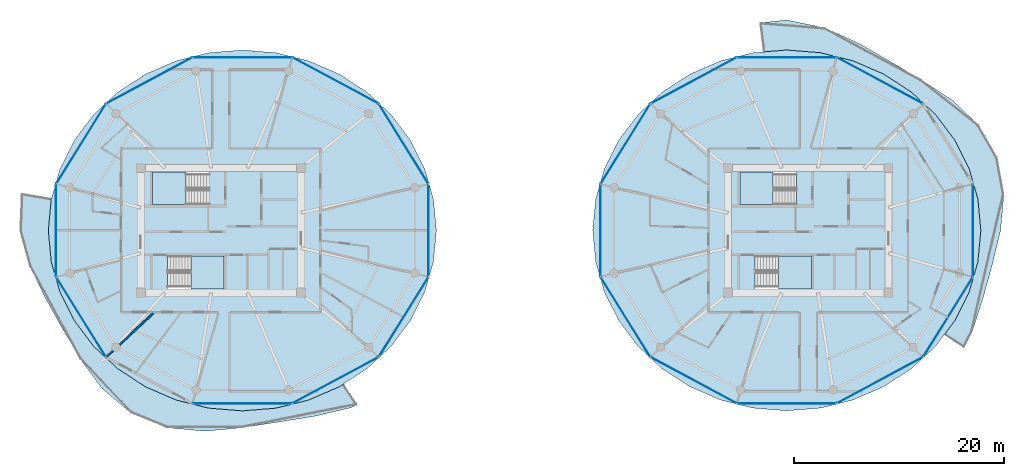
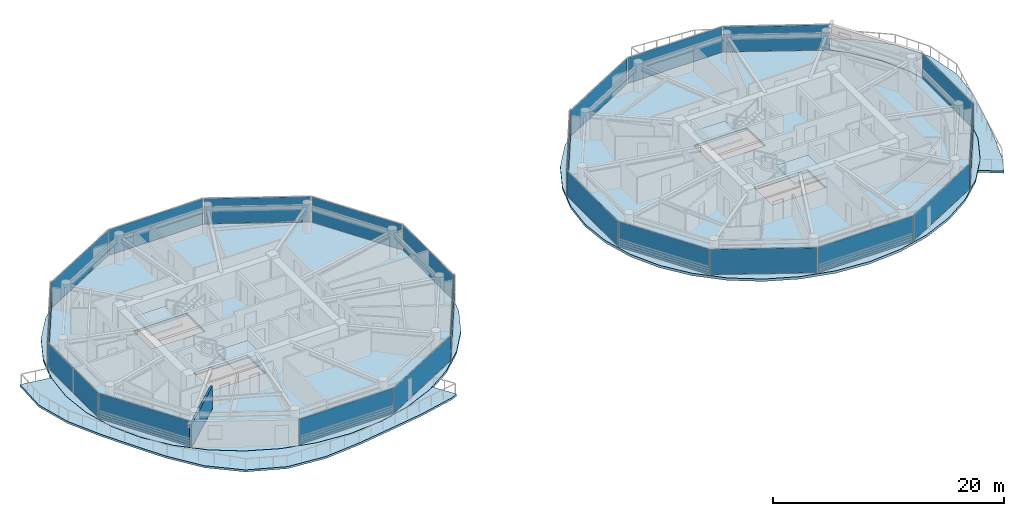
# One storey, part 12 of 24: 22 plates, 8 slabs, 1 wall, 26 elements without a shape of their own.
"""IFC4 building model written with IfcOpenShell, lengths in metres."""

from ifc_helpers import new_model, si_unit, direction, frame, frame_2d, origin, origin_2d, place, context, subcontext, project, spatial, polyline, rectangle, outline, extrude, source, transform, mapped, material, layer, layer_set, type_object, type_shapes, element, aggregate, save


model = new_model("IFC4")

# Units and contexts
model_context = context("Model", 3, precision=1e-05, world=origin(), true_north=direction((0.0, 1.0)))
body_context = subcontext(model_context, "Body", "Model", "MODEL_VIEW")
ifc_project = project(units=[si_unit("LENGTHUNIT", "METRE"), si_unit("AREAUNIT", "SQUARE_METRE"), si_unit("VOLUMEUNIT", "CUBIC_METRE"), si_unit("PLANEANGLEUNIT", "RADIAN"), si_unit("MASSUNIT", "GRAM", prefix="KILO")], contexts=[model_context])

# Site, building, storey
site_placement = place(None, origin())
site = spatial("IfcSite", under=ifc_project, at=site_placement, CompositionType="ELEMENT")
building_placement = place(site_placement, origin())
building = spatial("IfcBuilding", under=site, at=building_placement, Name="Norrkilde Senior Care Towers", CompositionType="ELEMENT")
storey_placement = place(building_placement, frame((0.0, 0.0, 105.39990234375)))
storey = spatial("IfcBuildingStorey", under=building, at=storey_placement, Name="L32", CompositionType="ELEMENT", Elevation=105.39990234375)

# Slabs
ifc_material_1 = material(Name="Concrete C50/60", Category="concrete")
ifc_layer_1 = layer(ifc_material_1, 0.215087890625)
ifc_layer_set_1 = layer_set([ifc_layer_1], Name="Concrete C50/60")
slab_type_1 = type_object("IfcSlabType", Name="Sinusoidal Balcony Ribbon Slab 215", PredefinedType="FLOOR", material=ifc_layer_set_1)
slab_1_placement = place(storey_placement, frame((0.0, 0.0, -0.21484375)))
element("IfcSlab", 1, at=slab_1_placement, inside=storey, type_object=slab_type_1, Name="L32 Drum W Swirling Senior Balcony 1", PredefinedType="FLOOR", context=body_context, shape_type="SweptSolid", body=[
    extrude(outline(polyline([(-19.094482421875, -17.7236328125), (-22.51904296875, -18.271484375), (-25.949951171875, -18.806396484375), (-29.523681640625, -19.14208984375), (-33.169189453125, -18.798095703125), (-36.5537109375, -17.41748046875), (-39.3271484375, -15.080322265625), (-41.42919921875, -12.23583984375), (-43.1328125, -9.321044921875), (-44.744384765625, -6.434814453125), (-46.230224609375, -3.377685546875), (-47.15087890625, 0.0), (-47.010986328125, 3.5166015625), (-44.15869140625, 3.040283203125), (-44.173828125, 2.987548828125), (-44.455078125, 0.0), (-44.173828125, -2.987548828125), (-43.339111328125, -5.884521484375), (-41.975830078125, -8.6025390625), (-40.125732421875, -11.05908203125), (-37.8447265625, -13.1796875), (-35.202392578125, -14.89990234375), (-32.279052734375, -16.16748046875), (-29.163330078125, -16.943603515625), (-25.949951171875, -17.205078125), (-22.736572265625, -16.943603515625), (-19.620849609375, -16.16748046875), (-16.697509765625, -14.89990234375), (-16.2919921875, -14.635986328125), (-14.984619140625, -16.616943359375), (-15.61865234375, -16.909912109375), (-19.094482421875, -17.7236328125)])), origin(), (0.0, 0.0, 1.0), 0.21484375),
])
slab_2_placement = place(storey_placement, frame((0.0, 0.0, -0.21484375)))
element("IfcSlab", 2, at=slab_2_placement, inside=storey, type_object=slab_type_1, Name="L32 Drum E Swirling Senior Balcony 1", PredefinedType="FLOOR", context=body_context, shape_type="SweptSolid", body=[
    extrude(outline(polyline([(43.639892578125, -9.635986328125), (42.85205078125, -11.20703125), (40.95947265625, -9.9521484375), (41.975830078125, -8.6025390625), (43.339111328125, -5.884521484375), (44.173828125, -2.987548828125), (44.455078125, 0.0), (44.173828125, 2.987548828125), (43.339111328125, 5.884521484375), (41.975830078125, 8.6025390625), (40.125732421875, 11.05908203125), (37.8447265625, 13.1796875), (35.202392578125, 14.89990234375), (32.279052734375, 16.16748046875), (29.163330078125, 16.943603515625), (25.949951171875, 17.205078125), (23.742431640625, 17.025390625), (23.383056640625, 19.79736328125), (25.949951171875, 20.06201171875), (29.55322265625, 19.322265625), (32.841796875, 17.8310546875), (35.846435546875, 16.10009765625), (38.77294921875, 14.369873046875), (41.67919921875, 12.461669921875), (44.265869140625, 10.02490234375), (46.02783203125, 6.937255859375), (46.66015625, 3.459228515625), (46.33544921875, 0.0), (45.55078125, -3.248779296875), (44.67578125, -6.407958984375), (43.639892578125, -9.635986328125)])), origin(), (0.0, 0.0, 1.0), 0.21484375),
])

# Stair, slab
ifc_material_2 = material(Name="Concrete C45/55", Category="concrete")
stair_type = type_object("IfcStairType", Name="Core Protected Dogleg Stair Typical 3050", PredefinedType="HALF_TURN_STAIR", material=ifc_material_2)
stair_1_placement = place(storey_placement, origin())
stair_1 = element("IfcStair", 3, at=stair_1_placement, inside=storey, type_object=stair_type, Name="L32 Protected Core Stair W1", PredefinedType="HALF_TURN_STAIR")
ifc_layer_2 = layer(ifc_material_2, 0.199951171875)
ifc_layer_set_2 = layer_set([ifc_layer_2], Name="Concrete C45/55")
slab_type_2 = type_object("IfcSlabType", Name="Stair Landing Slab 200", PredefinedType="LANDING", material=ifc_layer_set_2)
slab_3_placement = place(storey_placement, frame((0.0, 0.0, 1.3251953125)))
slab_3 = element("IfcSlab", 4, at=slab_3_placement, type_object=slab_type_2, Name="ST-W1 landing 1", PredefinedType="LANDING", context=body_context, shape_type="SweptSolid", body=[
    extrude(outline(polyline([(-31.340087890625, 5.590087890625), (-34.5, 5.590087890625), (-34.5, 2.449951171875), (-31.340087890625, 2.449951171875), (-31.340087890625, 5.590087890625)])), origin(), (0.0, 0.0, 1.0), 0.199951171875),
])
aggregate(stair_1, [slab_3])

stair_2_placement = place(storey_placement, origin())
stair_2 = element("IfcStair", 5, at=stair_2_placement, inside=storey, type_object=stair_type, Name="L32 Protected Core Stair W2", PredefinedType="HALF_TURN_STAIR")
slab_4_placement = place(storey_placement, frame((0.0, 0.0, 1.3251953125)))
slab_4 = element("IfcSlab", 6, at=slab_4_placement, type_object=slab_type_2, Name="ST-W2 landing 1", PredefinedType="LANDING", context=body_context, shape_type="SweptSolid", body=[
    extrude(outline(polyline([(-30.860107421875, -5.590087890625), (-27.699951171875, -5.590087890625), (-27.699951171875, -2.449951171875), (-30.860107421875, -2.449951171875), (-30.860107421875, -5.590087890625)])), origin(), (0.0, 0.0, 1.0), 0.199951171875),
])
aggregate(stair_2, [slab_4])

stair_3_placement = place(storey_placement, origin())
stair_3 = element("IfcStair", 7, at=stair_3_placement, inside=storey, type_object=stair_type, Name="L32 Protected Core Stair E1", PredefinedType="HALF_TURN_STAIR")
slab_5_placement = place(storey_placement, frame((0.0, 0.0, 1.3251953125)))
slab_5 = element("IfcSlab", 8, at=slab_5_placement, type_object=slab_type_2, Name="ST-E1 landing 1", PredefinedType="LANDING", context=body_context, shape_type="SweptSolid", body=[
    extrude(outline(polyline([(24.659912109375, 5.590087890625), (21.5, 5.590087890625), (21.5, 2.449951171875), (24.659912109375, 2.449951171875), (24.659912109375, 5.590087890625)])), origin(), (0.0, 0.0, 1.0), 0.199951171875),
])
aggregate(stair_3, [slab_5])

stair_4_placement = place(storey_placement, origin())
stair_4 = element("IfcStair", 9, at=stair_4_placement, inside=storey, type_object=stair_type, Name="L32 Protected Core Stair E2", PredefinedType="HALF_TURN_STAIR")
slab_6_placement = place(storey_placement, frame((0.0, 0.0, 1.3251953125)))
slab_6 = element("IfcSlab", 10, at=slab_6_placement, type_object=slab_type_2, Name="ST-E2 landing 1", PredefinedType="LANDING", context=body_context, shape_type="SweptSolid", body=[
    extrude(outline(polyline([(25.139892578125, -5.590087890625), (28.300048828125, -5.590087890625), (28.300048828125, -2.449951171875), (25.139892578125, -2.449951171875), (25.139892578125, -5.590087890625)])), origin(), (0.0, 0.0, 1.0), 0.199951171875),
])
aggregate(stair_4, [slab_6])

# Slabs
ifc_layer_3 = layer(ifc_material_1, 0.260009765625)
ifc_layer_set_3 = layer_set([ifc_layer_3], Name="Concrete C50/60")
slab_type_3 = type_object("IfcSlabType", Name="Tower Care Floor Slab 260", PredefinedType="FLOOR", material=ifc_layer_set_3)
slab_7_placement = place(storey_placement, frame((0.0, 0.0, -0.260009765625)))
element("IfcSlab", 11, at=slab_7_placement, inside=storey, type_object=slab_type_3, Name="L32 Drum W Structural Floor Slab", PredefinedType="FLOOR", context=body_context, shape_type="SweptSolid", body=[
    extrude(outline(polyline([(-8.565673828125, -5.8828125), (-9.928466796875, -8.60009765625), (-11.778076171875, -11.055908203125), (-14.058349609375, -13.176025390625), (-16.699951171875, -14.895751953125), (-19.62255859375, -16.16259765625), (-22.737548828125, -16.938720703125), (-25.949951171875, -17.199951171875), (-29.16259765625, -16.938720703125), (-32.27734375, -16.16259765625), (-35.199951171875, -14.895751953125), (-37.841552734375, -13.176025390625), (-40.121826171875, -11.055908203125), (-41.971435546875, -8.60009765625), (-43.334228515625, -5.8828125), (-44.1689453125, -2.98681640625), (-44.449951171875, 0.0), (-44.1689453125, 2.98681640625), (-43.334228515625, 5.8828125), (-41.971435546875, 8.60009765625), (-40.121826171875, 11.055908203125), (-37.841552734375, 13.176025390625), (-35.199951171875, 14.895751953125), (-32.27734375, 16.16259765625), (-29.16259765625, 16.938720703125), (-25.949951171875, 17.199951171875), (-22.737548828125, 16.938720703125), (-19.62255859375, 16.16259765625), (-16.699951171875, 14.895751953125), (-14.058349609375, 13.176025390625), (-11.778076171875, 11.055908203125), (-9.928466796875, 8.60009765625), (-8.565673828125, 5.8828125), (-7.73095703125, 2.98681640625), (-7.449951171875, 0.0), (-7.73095703125, -2.98681640625), (-8.565673828125, -5.8828125)]), holes=[polyline([(-34.48193359375, 2.468017578125), (-29.117919921875, 2.468017578125), (-29.117919921875, 5.590087890625), (-34.48193359375, 5.590087890625), (-34.48193359375, 2.468017578125)]), polyline([(-27.718017578125, -5.590087890625), (-27.718017578125, -2.468017578125), (-33.08203125, -2.468017578125), (-33.08203125, -5.590087890625), (-27.718017578125, -5.590087890625)])]), origin(), (0.0, 0.0, 1.0), 0.260009765625),
])
slab_8_placement = place(storey_placement, frame((0.0, 0.0, -0.260009765625)))
element("IfcSlab", 12, at=slab_8_placement, inside=storey, type_object=slab_type_3, Name="L32 Drum E Structural Floor Slab", PredefinedType="FLOOR", context=body_context, shape_type="SweptSolid", body=[
    extrude(outline(polyline([(43.334228515625, -5.8828125), (41.971435546875, -8.60009765625), (40.121826171875, -11.055908203125), (37.841552734375, -13.176025390625), (35.199951171875, -14.895751953125), (32.27734375, -16.16259765625), (29.16259765625, -16.938720703125), (25.949951171875, -17.199951171875), (22.737548828125, -16.938720703125), (19.62255859375, -16.16259765625), (16.699951171875, -14.895751953125), (14.058349609375, -13.176025390625), (11.778076171875, -11.055908203125), (9.928466796875, -8.60009765625), (8.565673828125, -5.8828125), (7.73095703125, -2.98681640625), (7.449951171875, 0.0), (7.73095703125, 2.98681640625), (8.565673828125, 5.8828125), (9.928466796875, 8.60009765625), (11.778076171875, 11.055908203125), (14.058349609375, 13.176025390625), (16.699951171875, 14.895751953125), (19.62255859375, 16.16259765625), (22.737548828125, 16.938720703125), (25.949951171875, 17.199951171875), (29.16259765625, 16.938720703125), (32.27734375, 16.16259765625), (35.199951171875, 14.895751953125), (37.841552734375, 13.176025390625), (40.121826171875, 11.055908203125), (41.971435546875, 8.60009765625), (43.334228515625, 5.8828125), (44.1689453125, 2.98681640625), (44.449951171875, 0.0), (44.1689453125, -2.98681640625), (43.334228515625, -5.8828125)]), holes=[polyline([(21.51806640625, 2.468017578125), (26.882080078125, 2.468017578125), (26.882080078125, 5.590087890625), (21.51806640625, 5.590087890625), (21.51806640625, 2.468017578125)]), polyline([(28.281982421875, -5.590087890625), (28.281982421875, -2.468017578125), (22.91796875, -2.468017578125), (22.91796875, -5.590087890625), (28.281982421875, -5.590087890625)])]), origin(), (0.0, 0.0, 1.0), 0.260009765625),
])

# Curtain wall, plate
ifc_material_3 = material(Name="Triple Low-E Insulated Glazing", Category="glass")
ifc_layer_4 = layer(ifc_material_3, 0.195068359375)
ifc_layer_set_4 = layer_set([ifc_layer_4], Name="Triple Low-E Insulated Glazing")
curtain_wall_type = type_object("IfcCurtainWallType", Name="CW3 Zone 2 Assisted Living Curtain Wall", PredefinedType="NOTDEFINED", material=ifc_layer_set_4)
curtain_wall_1_placement = place(storey_placement, origin())
curtain_wall_1 = element("IfcCurtainWall", 13, at=curtain_wall_1_placement, inside=storey, type_object=curtain_wall_type, Name="L32 Drum W Curtain Wall 00", PredefinedType="NOTDEFINED")
ifc_layer_5 = layer(ifc_material_3, 0.035888671875)
ifc_layer_set_5 = layer_set([ifc_layer_5], Name="Triple Low-E Insulated Glazing")
plate_type = type_object("IfcPlateType", Name="Triple Low-E Vision Curtain Panel 36", PredefinedType="CURTAIN_PANEL", material=ifc_layer_set_5)
shared_shape_1 = source(origin(), body_context, "Body", "SweptSolid", [
    extrude(rectangle(XDim=8.88427734375, YDim=0.035888671875, at=origin_2d()), origin(), (0.0, 0.0, 1.0), 2.669921875),
])
plate_1_placement = place(storey_placement, frame((-10.574951171875, 8.2490234375, 0.06005859375), z_axis=(0.0, 0.0, 1.0), x_axis=(0.527733228002, -0.849410171862, 0.0)))
plate_1 = element("IfcPlate", 14, at=plate_1_placement, type_object=plate_type, Name="CW-3 panel 1.1", PredefinedType="CURTAIN_PANEL", context=body_context, shape_type="MappedRepresentation", body=[
    mapped(shared_shape_1, transform((0.0, 0.0, 0.0), x_axis=(1.0, 0.0, 0.0), y_axis=(0.0, 1.0, 0.0), z_axis=(0.0, 0.0, 1.0), scale=1.0)),
])
aggregate(curtain_wall_1, [plate_1])

curtain_wall_2_placement = place(storey_placement, origin())
curtain_wall_2 = element("IfcCurtainWall", 15, at=curtain_wall_2_placement, inside=storey, type_object=curtain_wall_type, Name="L32 Drum W Curtain Wall 04", PredefinedType="NOTDEFINED")
plate_2_placement = place(storey_placement, frame((-41.3251953125, 8.2490234375, 0.06005859375), z_axis=(0.0, 0.0, 1.0), x_axis=(0.527733228002, 0.849410171862, 0.0)))
plate_2 = element("IfcPlate", 16, at=plate_2_placement, type_object=plate_type, Name="CW-3 panel 1.1", PredefinedType="CURTAIN_PANEL", context=body_context, shape_type="MappedRepresentation", body=[
    mapped(shared_shape_1, transform((0.0, 0.0, 0.0), x_axis=(1.0, 0.0, 0.0), y_axis=(0.0, 1.0, 0.0), z_axis=(0.0, 0.0, 1.0), scale=1.0)),
])
aggregate(curtain_wall_2, [plate_2])

curtain_wall_3_placement = place(storey_placement, origin())
curtain_wall_3 = element("IfcCurtainWall", 17, at=curtain_wall_3_placement, inside=storey, type_object=curtain_wall_type, Name="L32 Drum W Curtain Wall 06", PredefinedType="NOTDEFINED")
plate_3_placement = place(storey_placement, frame((-41.3251953125, -8.2490234375, 0.06005859375), z_axis=(0.0, 0.0, 1.0), x_axis=(-0.527733228002, 0.849410171862, 0.0)))
plate_3 = element("IfcPlate", 18, at=plate_3_placement, type_object=plate_type, Name="CW-3 panel 1.1", PredefinedType="CURTAIN_PANEL", context=body_context, shape_type="MappedRepresentation", body=[
    mapped(shared_shape_1, transform((0.0, 0.0, 0.0), x_axis=(1.0, 0.0, 0.0), y_axis=(0.0, 1.0, 0.0), z_axis=(0.0, 0.0, 1.0), scale=1.0)),
])
aggregate(curtain_wall_3, [plate_3])

curtain_wall_4_placement = place(storey_placement, origin())
curtain_wall_4 = element("IfcCurtainWall", 19, at=curtain_wall_4_placement, inside=storey, type_object=curtain_wall_type, Name="L32 Drum W Curtain Wall 10", PredefinedType="NOTDEFINED")
plate_4_placement = place(storey_placement, frame((-10.574951171875, -8.2490234375, 0.06005859375), z_axis=(0.0, 0.0, 1.0), x_axis=(-0.527733228002, -0.849410171862, 0.0)))
plate_4 = element("IfcPlate", 20, at=plate_4_placement, type_object=plate_type, Name="CW-3 panel 1.1", PredefinedType="CURTAIN_PANEL", context=body_context, shape_type="MappedRepresentation", body=[
    mapped(shared_shape_1, transform((0.0, 0.0, 0.0), x_axis=(1.0, 0.0, 0.0), y_axis=(0.0, 1.0, 0.0), z_axis=(0.0, 0.0, 1.0), scale=1.0)),
])
aggregate(curtain_wall_4, [plate_4])

curtain_wall_5_placement = place(storey_placement, origin())
curtain_wall_5 = element("IfcCurtainWall", 21, at=curtain_wall_5_placement, inside=storey, type_object=curtain_wall_type, Name="L32 Drum E Curtain Wall 04", PredefinedType="NOTDEFINED")
plate_5_placement = place(storey_placement, frame((10.574951171875, 8.2490234375, 0.06005859375), z_axis=(0.0, 0.0, 1.0), x_axis=(0.527733228002, 0.849410171862, 0.0)))
plate_5 = element("IfcPlate", 22, at=plate_5_placement, type_object=plate_type, Name="CW-3 panel 1.1", PredefinedType="CURTAIN_PANEL", context=body_context, shape_type="MappedRepresentation", body=[
    mapped(shared_shape_1, transform((0.0, 0.0, 0.0), x_axis=(1.0, 0.0, 0.0), y_axis=(0.0, 1.0, 0.0), z_axis=(0.0, 0.0, 1.0), scale=1.0)),
])
aggregate(curtain_wall_5, [plate_5])

curtain_wall_6_placement = place(storey_placement, origin())
curtain_wall_6 = element("IfcCurtainWall", 23, at=curtain_wall_6_placement, inside=storey, type_object=curtain_wall_type, Name="L32 Drum E Curtain Wall 06", PredefinedType="NOTDEFINED")
plate_6_placement = place(storey_placement, frame((10.574951171875, -8.2490234375, 0.06005859375), z_axis=(0.0, 0.0, 1.0), x_axis=(-0.527733228002, 0.849410171862, 0.0)))
plate_6 = element("IfcPlate", 24, at=plate_6_placement, type_object=plate_type, Name="CW-3 panel 1.1", PredefinedType="CURTAIN_PANEL", context=body_context, shape_type="MappedRepresentation", body=[
    mapped(shared_shape_1, transform((0.0, 0.0, 0.0), x_axis=(1.0, 0.0, 0.0), y_axis=(0.0, 1.0, 0.0), z_axis=(0.0, 0.0, 1.0), scale=1.0)),
])
aggregate(curtain_wall_6, [plate_6])

curtain_wall_7_placement = place(storey_placement, origin())
curtain_wall_7 = element("IfcCurtainWall", 25, at=curtain_wall_7_placement, inside=storey, type_object=curtain_wall_type, Name="L32 Drum E Curtain Wall 10", PredefinedType="NOTDEFINED")
plate_7_placement = place(storey_placement, frame((41.3251953125, -8.2490234375, 0.06005859375), z_axis=(0.0, 0.0, 1.0), x_axis=(-0.527733228002, -0.849410171862, 0.0)))
plate_7 = element("IfcPlate", 26, at=plate_7_placement, type_object=plate_type, Name="CW-3 panel 1.1", PredefinedType="CURTAIN_PANEL", context=body_context, shape_type="MappedRepresentation", body=[
    mapped(shared_shape_1, transform((0.0, 0.0, 0.0), x_axis=(1.0, 0.0, 0.0), y_axis=(0.0, 1.0, 0.0), z_axis=(0.0, 0.0, 1.0), scale=1.0)),
])
aggregate(curtain_wall_7, [plate_7])

curtain_wall_8_placement = place(storey_placement, origin())
curtain_wall_8 = element("IfcCurtainWall", 27, at=curtain_wall_8_placement, inside=storey, type_object=curtain_wall_type, Name="L32 Drum W Curtain Wall 01", PredefinedType="NOTDEFINED")
shared_shape_2 = source(origin(), body_context, "Body", "SweptSolid", [
    extrude(rectangle(XDim=9.220458984375, YDim=0.035888671875, at=origin_2d()), origin(), (0.0, 0.0, 1.0), 2.669921875),
])
plate_8_placement = place(storey_placement, frame((-17.0732421875, 14.28759765625, 0.06005859375), z_axis=(0.0, 0.0, 1.0), x_axis=(0.881186184668, -0.472769402511, 0.0)))
plate_8 = element("IfcPlate", 28, at=plate_8_placement, type_object=plate_type, Name="CW-3 panel 1.1", PredefinedType="CURTAIN_PANEL", context=body_context, shape_type="MappedRepresentation", body=[
    mapped(shared_shape_2, transform((0.0, 0.0, 0.0), x_axis=(1.0, 0.0, 0.0), y_axis=(0.0, 1.0, 0.0), z_axis=(0.0, 0.0, 1.0), scale=1.0)),
])
aggregate(curtain_wall_8, [plate_8])

curtain_wall_9_placement = place(storey_placement, origin())
curtain_wall_9 = element("IfcCurtainWall", 29, at=curtain_wall_9_placement, inside=storey, type_object=curtain_wall_type, Name="L32 Drum W Curtain Wall 03", PredefinedType="NOTDEFINED")
plate_9_placement = place(storey_placement, frame((-34.826904296875, 14.28759765625, 0.06005859375), z_axis=(0.0, 0.0, 1.0), x_axis=(0.881186184668, 0.472769402511, 0.0)))
plate_9 = element("IfcPlate", 30, at=plate_9_placement, type_object=plate_type, Name="CW-3 panel 1.1", PredefinedType="CURTAIN_PANEL", context=body_context, shape_type="MappedRepresentation", body=[
    mapped(shared_shape_2, transform((0.0, 0.0, 0.0), x_axis=(1.0, 0.0, 0.0), y_axis=(0.0, 1.0, 0.0), z_axis=(0.0, 0.0, 1.0), scale=1.0)),
])
aggregate(curtain_wall_9, [plate_9])

curtain_wall_10_placement = place(storey_placement, origin())
curtain_wall_10 = element("IfcCurtainWall", 31, at=curtain_wall_10_placement, inside=storey, type_object=curtain_wall_type, Name="L32 Drum W Curtain Wall 09", PredefinedType="NOTDEFINED")
plate_10_placement = place(storey_placement, frame((-17.0732421875, -14.28759765625, 0.06005859375), z_axis=(0.0, 0.0, 1.0), x_axis=(-0.881186184668, -0.472769402511, 0.0)))
plate_10 = element("IfcPlate", 32, at=plate_10_placement, type_object=plate_type, Name="CW-3 panel 1.1", PredefinedType="CURTAIN_PANEL", context=body_context, shape_type="MappedRepresentation", body=[
    mapped(shared_shape_2, transform((0.0, 0.0, 0.0), x_axis=(1.0, 0.0, 0.0), y_axis=(0.0, 1.0, 0.0), z_axis=(0.0, 0.0, 1.0), scale=1.0)),
])
aggregate(curtain_wall_10, [plate_10])

curtain_wall_11_placement = place(storey_placement, origin())
curtain_wall_11 = element("IfcCurtainWall", 33, at=curtain_wall_11_placement, inside=storey, type_object=curtain_wall_type, Name="L32 Drum E Curtain Wall 01", PredefinedType="NOTDEFINED")
plate_11_placement = place(storey_placement, frame((34.826904296875, 14.28759765625, 0.06005859375), z_axis=(0.0, 0.0, 1.0), x_axis=(0.881186184668, -0.472769402511, 0.0)))
plate_11 = element("IfcPlate", 34, at=plate_11_placement, type_object=plate_type, Name="CW-3 panel 1.1", PredefinedType="CURTAIN_PANEL", context=body_context, shape_type="MappedRepresentation", body=[
    mapped(shared_shape_2, transform((0.0, 0.0, 0.0), x_axis=(1.0, 0.0, 0.0), y_axis=(0.0, 1.0, 0.0), z_axis=(0.0, 0.0, 1.0), scale=1.0)),
])
aggregate(curtain_wall_11, [plate_11])

curtain_wall_12_placement = place(storey_placement, origin())
curtain_wall_12 = element("IfcCurtainWall", 35, at=curtain_wall_12_placement, inside=storey, type_object=curtain_wall_type, Name="L32 Drum E Curtain Wall 03", PredefinedType="NOTDEFINED")
plate_12_placement = place(storey_placement, frame((17.0732421875, 14.28759765625, 0.06005859375), z_axis=(0.0, 0.0, 1.0), x_axis=(0.881186184668, 0.472769402511, 0.0)))
plate_12 = element("IfcPlate", 36, at=plate_12_placement, type_object=plate_type, Name="CW-3 panel 1.1", PredefinedType="CURTAIN_PANEL", context=body_context, shape_type="MappedRepresentation", body=[
    mapped(shared_shape_2, transform((0.0, 0.0, 0.0), x_axis=(1.0, 0.0, 0.0), y_axis=(0.0, 1.0, 0.0), z_axis=(0.0, 0.0, 1.0), scale=1.0)),
])
aggregate(curtain_wall_12, [plate_12])

curtain_wall_13_placement = place(storey_placement, origin())
curtain_wall_13 = element("IfcCurtainWall", 37, at=curtain_wall_13_placement, inside=storey, type_object=curtain_wall_type, Name="L32 Drum E Curtain Wall 07", PredefinedType="NOTDEFINED")
plate_13_placement = place(storey_placement, frame((17.0732421875, -14.28759765625, 0.06005859375), z_axis=(0.0, 0.0, 1.0), x_axis=(-0.881186184668, 0.472769402511, 0.0)))
plate_13 = element("IfcPlate", 38, at=plate_13_placement, type_object=plate_type, Name="CW-3 panel 1.1", PredefinedType="CURTAIN_PANEL", context=body_context, shape_type="MappedRepresentation", body=[
    mapped(shared_shape_2, transform((0.0, 0.0, 0.0), x_axis=(1.0, 0.0, 0.0), y_axis=(0.0, 1.0, 0.0), z_axis=(0.0, 0.0, 1.0), scale=1.0)),
])
aggregate(curtain_wall_13, [plate_13])

curtain_wall_14_placement = place(storey_placement, origin())
curtain_wall_14 = element("IfcCurtainWall", 39, at=curtain_wall_14_placement, inside=storey, type_object=curtain_wall_type, Name="L32 Drum E Curtain Wall 09", PredefinedType="NOTDEFINED")
plate_14_placement = place(storey_placement, frame((34.826904296875, -14.28759765625, 0.06005859375), z_axis=(0.0, 0.0, 1.0), x_axis=(-0.881186184668, -0.472769402511, 0.0)))
plate_14 = element("IfcPlate", 40, at=plate_14_placement, type_object=plate_type, Name="CW-3 panel 1.1", PredefinedType="CURTAIN_PANEL", context=body_context, shape_type="MappedRepresentation", body=[
    mapped(shared_shape_2, transform((0.0, 0.0, 0.0), x_axis=(1.0, 0.0, 0.0), y_axis=(0.0, 1.0, 0.0), z_axis=(0.0, 0.0, 1.0), scale=1.0)),
])
aggregate(curtain_wall_14, [plate_14])

curtain_wall_15_placement = place(storey_placement, origin())
curtain_wall_15 = element("IfcCurtainWall", 41, at=curtain_wall_15_placement, inside=storey, type_object=curtain_wall_type, Name="L32 Drum W Curtain Wall 02", PredefinedType="NOTDEFINED")
shared_shape_3 = source(origin(), body_context, "Body", "SweptSolid", [
    extrude(rectangle(XDim=9.38427734375, YDim=0.035888671875, at=origin_2d()), origin(), (0.0, 0.0, 1.0), 2.669921875),
])
plate_15_placement = place(storey_placement, frame((-25.949951171875, 16.498046875, 0.06005859375), z_axis=(0.0, 0.0, 1.0), x_axis=(1.0, 0.0, 0.0)))
plate_15 = element("IfcPlate", 42, at=plate_15_placement, type_object=plate_type, Name="CW-3 panel 1.1", PredefinedType="CURTAIN_PANEL", context=body_context, shape_type="MappedRepresentation", body=[
    mapped(shared_shape_3, transform((0.0, 0.0, 0.0), x_axis=(1.0, 0.0, 0.0), y_axis=(0.0, 1.0, 0.0), z_axis=(0.0, 0.0, 1.0), scale=1.0)),
])
aggregate(curtain_wall_15, [plate_15])

curtain_wall_16_placement = place(storey_placement, origin())
curtain_wall_16 = element("IfcCurtainWall", 43, at=curtain_wall_16_placement, inside=storey, type_object=curtain_wall_type, Name="L32 Drum W Curtain Wall 08", PredefinedType="NOTDEFINED")
plate_16_placement = place(storey_placement, frame((-25.949951171875, -16.498046875, 0.06005859375), z_axis=(0.0, 0.0, 1.0), x_axis=(-1.0, 0.0, 0.0)))
plate_16 = element("IfcPlate", 44, at=plate_16_placement, type_object=plate_type, Name="CW-3 panel 1.1", PredefinedType="CURTAIN_PANEL", context=body_context, shape_type="MappedRepresentation", body=[
    mapped(shared_shape_3, transform((0.0, 0.0, 0.0), x_axis=(1.0, 0.0, 0.0), y_axis=(0.0, 1.0, 0.0), z_axis=(0.0, 0.0, 1.0), scale=1.0)),
])
aggregate(curtain_wall_16, [plate_16])

curtain_wall_17_placement = place(storey_placement, origin())
curtain_wall_17 = element("IfcCurtainWall", 45, at=curtain_wall_17_placement, inside=storey, type_object=curtain_wall_type, Name="L32 Drum E Curtain Wall 02", PredefinedType="NOTDEFINED")
plate_17_placement = place(storey_placement, frame((25.949951171875, 16.498046875, 0.06005859375), z_axis=(0.0, 0.0, 1.0), x_axis=(1.0, 0.0, 0.0)))
plate_17 = element("IfcPlate", 46, at=plate_17_placement, type_object=plate_type, Name="CW-3 panel 1.1", PredefinedType="CURTAIN_PANEL", context=body_context, shape_type="MappedRepresentation", body=[
    mapped(shared_shape_3, transform((0.0, 0.0, 0.0), x_axis=(1.0, 0.0, 0.0), y_axis=(0.0, 1.0, 0.0), z_axis=(0.0, 0.0, 1.0), scale=1.0)),
])
aggregate(curtain_wall_17, [plate_17])

curtain_wall_18_placement = place(storey_placement, origin())
curtain_wall_18 = element("IfcCurtainWall", 47, at=curtain_wall_18_placement, inside=storey, type_object=curtain_wall_type, Name="L32 Drum E Curtain Wall 08", PredefinedType="NOTDEFINED")
plate_18_placement = place(storey_placement, frame((25.949951171875, -16.498046875, 0.06005859375), z_axis=(0.0, 0.0, 1.0), x_axis=(-1.0, 0.0, 0.0)))
plate_18 = element("IfcPlate", 48, at=plate_18_placement, type_object=plate_type, Name="CW-3 panel 1.1", PredefinedType="CURTAIN_PANEL", context=body_context, shape_type="MappedRepresentation", body=[
    mapped(shared_shape_3, transform((0.0, 0.0, 0.0), x_axis=(1.0, 0.0, 0.0), y_axis=(0.0, 1.0, 0.0), z_axis=(0.0, 0.0, 1.0), scale=1.0)),
])
aggregate(curtain_wall_18, [plate_18])

curtain_wall_19_placement = place(storey_placement, origin())
curtain_wall_19 = element("IfcCurtainWall", 49, at=curtain_wall_19_placement, inside=storey, type_object=curtain_wall_type, Name="L32 Drum W Curtain Wall 05", PredefinedType="NOTDEFINED")
shared_shape_4 = source(origin(), body_context, "Body", "SweptSolid", [
    extrude(rectangle(XDim=8.711181640625, YDim=0.035888671875, at=origin_2d()), origin(), (0.0, 0.0, 1.0), 2.669921875),
])
type_shapes(plate_type, [shared_shape_1, shared_shape_2, shared_shape_3, shared_shape_4])
plate_19_placement = place(storey_placement, frame((-43.70361328125, 0.0, 0.06005859375), z_axis=(0.0, 0.0, 1.0), x_axis=(0.0, 1.0, 0.0)))
plate_19 = element("IfcPlate", 50, at=plate_19_placement, type_object=plate_type, Name="CW-3 panel 1.1", PredefinedType="CURTAIN_PANEL", context=body_context, shape_type="MappedRepresentation", body=[
    mapped(shared_shape_4, transform((0.0, 0.0, 0.0), x_axis=(1.0, 0.0, 0.0), y_axis=(0.0, 1.0, 0.0), z_axis=(0.0, 0.0, 1.0), scale=1.0)),
])
aggregate(curtain_wall_19, [plate_19])

curtain_wall_20_placement = place(storey_placement, origin())
curtain_wall_20 = element("IfcCurtainWall", 51, at=curtain_wall_20_placement, inside=storey, type_object=curtain_wall_type, Name="L32 Drum W Curtain Wall 11", PredefinedType="NOTDEFINED")
plate_20_placement = place(storey_placement, frame((-8.1962890625, 0.0, 0.06005859375), z_axis=(0.0, 0.0, 1.0), x_axis=(0.0, -1.0, 0.0)))
plate_20 = element("IfcPlate", 52, at=plate_20_placement, type_object=plate_type, Name="CW-3 panel 1.1", PredefinedType="CURTAIN_PANEL", context=body_context, shape_type="MappedRepresentation", body=[
    mapped(shared_shape_4, transform((0.0, 0.0, 0.0), x_axis=(1.0, 0.0, 0.0), y_axis=(0.0, 1.0, 0.0), z_axis=(0.0, 0.0, 1.0), scale=1.0)),
])
aggregate(curtain_wall_20, [plate_20])

curtain_wall_21_placement = place(storey_placement, origin())
curtain_wall_21 = element("IfcCurtainWall", 53, at=curtain_wall_21_placement, inside=storey, type_object=curtain_wall_type, Name="L32 Drum E Curtain Wall 05", PredefinedType="NOTDEFINED")
plate_21_placement = place(storey_placement, frame((8.1962890625, 0.0, 0.06005859375), z_axis=(0.0, 0.0, 1.0), x_axis=(0.0, 1.0, 0.0)))
plate_21 = element("IfcPlate", 54, at=plate_21_placement, type_object=plate_type, Name="CW-3 panel 1.1", PredefinedType="CURTAIN_PANEL", context=body_context, shape_type="MappedRepresentation", body=[
    mapped(shared_shape_4, transform((0.0, 0.0, 0.0), x_axis=(1.0, 0.0, 0.0), y_axis=(0.0, 1.0, 0.0), z_axis=(0.0, 0.0, 1.0), scale=1.0)),
])
aggregate(curtain_wall_21, [plate_21])

curtain_wall_22_placement = place(storey_placement, origin())
curtain_wall_22 = element("IfcCurtainWall", 55, at=curtain_wall_22_placement, inside=storey, type_object=curtain_wall_type, Name="L32 Drum E Curtain Wall 11", PredefinedType="NOTDEFINED")
plate_22_placement = place(storey_placement, frame((43.70361328125, 0.0, 0.06005859375), z_axis=(0.0, 0.0, 1.0), x_axis=(0.0, -1.0, 0.0)))
plate_22 = element("IfcPlate", 56, at=plate_22_placement, type_object=plate_type, Name="CW-3 panel 1.1", PredefinedType="CURTAIN_PANEL", context=body_context, shape_type="MappedRepresentation", body=[
    mapped(shared_shape_4, transform((0.0, 0.0, 0.0), x_axis=(1.0, 0.0, 0.0), y_axis=(0.0, 1.0, 0.0), z_axis=(0.0, 0.0, 1.0), scale=1.0)),
])
aggregate(curtain_wall_22, [plate_22])

# Wall
ifc_material_4 = material(Name="Gypsum Acoustic Board")
ifc_layer_6 = layer(ifc_material_4, 0.18994140625)
ifc_layer_set_6 = layer_set([ifc_layer_6], Name="Gypsum Acoustic Board")
wall_type = type_object("IfcWallType", Name="Unit Demising Acoustic Wall 190", PredefinedType="PARTITIONING", material=ifc_layer_set_6)
shared_shape_5 = source(origin(), body_context, "Body", "SweptSolid", [
    extrude(rectangle(XDim=6.186767578125, YDim=0.18994140625, at=frame_2d((3.09326171875, 0.0))), origin(), (0.0, 0.0, 1.0), 2.4150390625),
])
type_shapes(wall_type, [shared_shape_5])
wall_placement = place(storey_placement, frame((-34.428955078125, -7.8798828125, 0.0), z_axis=(0.0, 0.0, 1.0), x_axis=(-0.732501077882, -0.680765870841, 0.0)))
element("IfcWall", 57, at=wall_placement, inside=storey, type_object=wall_type, Name="WL-INT-L32-W-DEM-07-0", PredefinedType="PARTITIONING", context=body_context, shape_type="MappedRepresentation", body=[
    mapped(shared_shape_5, transform((0.0, 0.0, 0.0), x_axis=(1.0, 0.0, 0.0), y_axis=(0.0, 1.0, 0.0), z_axis=(0.0, 0.0, 1.0), scale=1.0)),
])

save(model, "model.ifc")
